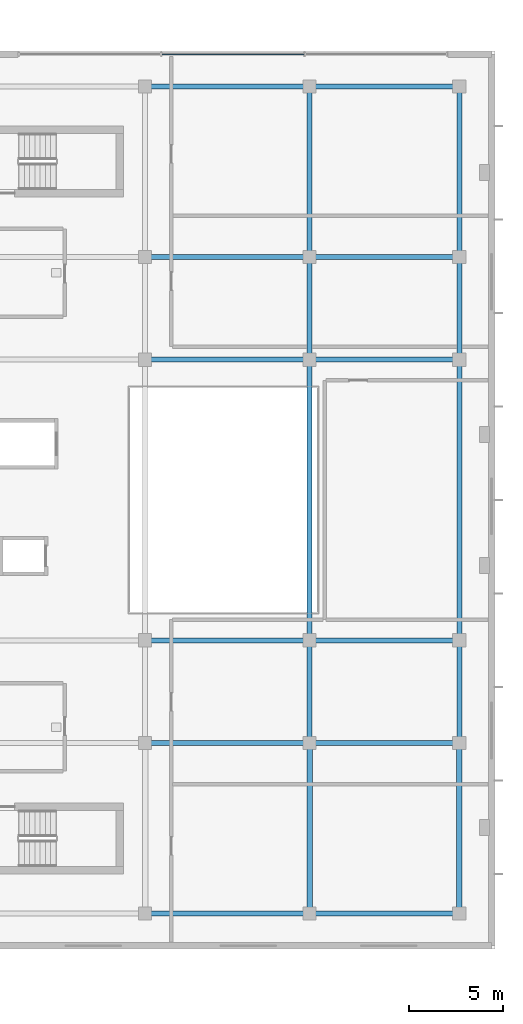
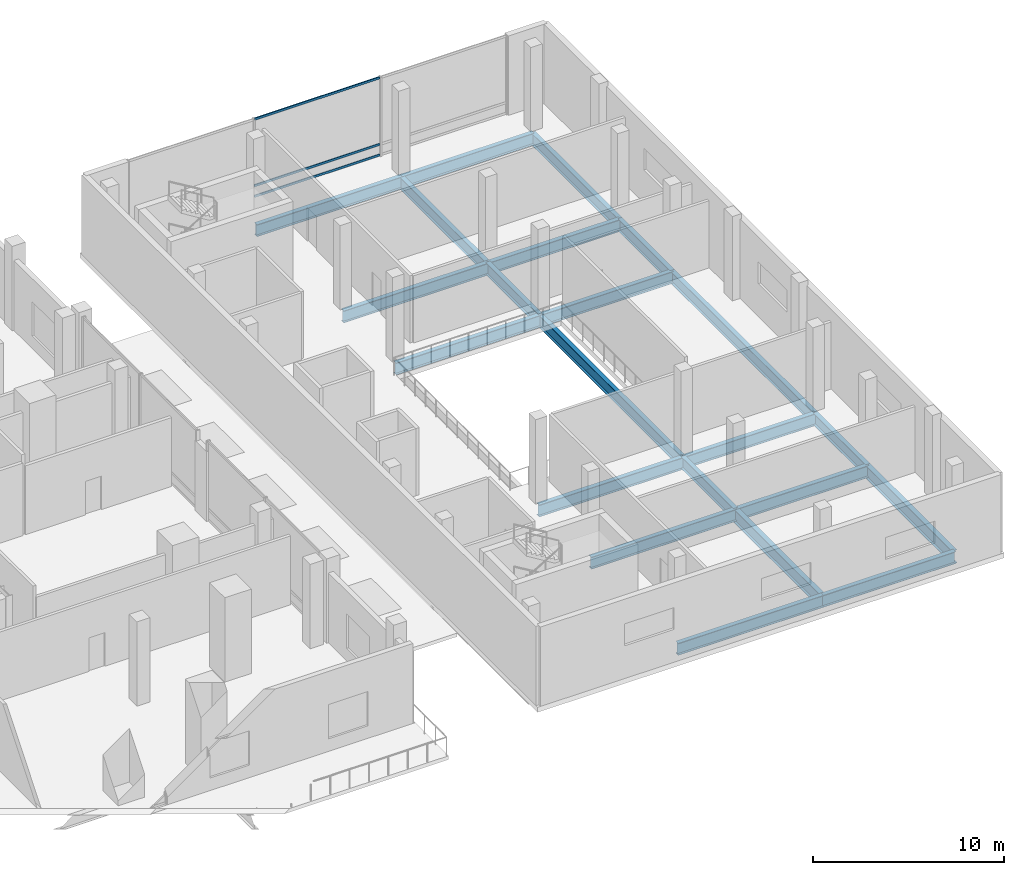
# One storey, part 22 of 36: 22 beams, 3 members, 1 element without a shape of its own.
"""IFC4 building model written with IfcOpenShell, lengths in metres."""

from ifc_helpers import new_model, si_unit, direction, frame, origin, origin_2d, place, context, subcontext, project, spatial, hollow_rectangle, i_section, extrude, material, layer, layer_set, material_profile, profile_set, type_object, element, aggregate, save


model = new_model("IFC4")

# Units and contexts
model_context = context("Model", 3, precision=1e-05, world=origin(), true_north=direction((0.0, 1.0)))
body_context = subcontext(model_context, "Body", "Model", "MODEL_VIEW")
ifc_project = project(units=[si_unit("LENGTHUNIT", "METRE"), si_unit("AREAUNIT", "SQUARE_METRE"), si_unit("VOLUMEUNIT", "CUBIC_METRE"), si_unit("PLANEANGLEUNIT", "RADIAN"), si_unit("MASSUNIT", "GRAM", prefix="KILO")], contexts=[model_context])

# Site, building, storey
site_placement = place(None, origin())
site = spatial("IfcSite", under=ifc_project, at=site_placement, CompositionType="ELEMENT")
building_placement = place(site_placement, origin())
building = spatial("IfcBuilding", under=site, at=building_placement, Name="Barlavira Tower and Art Museum", CompositionType="ELEMENT")
storey_placement = place(building_placement, frame((0.0, 0.0, 11.39990234375)))
storey = spatial("IfcBuildingStorey", under=building, at=storey_placement, Name="L02", CompositionType="ELEMENT", Elevation=11.39990234375)

# Curtain wall, members
ifc_material_1 = material(Name="Low-iron coastal laminated glass", Category="glass")
ifc_layer = layer(ifc_material_1, 0.199951171875, Name="Low-iron coastal laminated glass")
ifc_layer_set = layer_set([ifc_layer], Name="Low-iron coastal laminated glass")
curtain_wall_type = type_object("IfcCurtainWallType", Name="Coastal Art Museum North-Light Curtain Wall", PredefinedType="NOTDEFINED", material=ifc_layer_set)
curtain_wall_placement = place(storey_placement, origin())
curtain_wall = element("IfcCurtainWall", 1, at=curtain_wall_placement, inside=storey, type_object=curtain_wall_type, Name="L02 Curtain Wall CW6-MUS-L02-N", PredefinedType="NOTDEFINED")
ifc_material_2 = material(Name="Pale anodised aluminium", Category="aluminium")
ifc_material_profile_1 = material_profile(ifc_material_2, hollow_rectangle(XDim=0.06494140625, YDim=0.139892578125, WallThickness=0.00390625, at=origin_2d()), Name="ALU-TRAN 65x140x4")
ifc_profile_set_1 = profile_set([ifc_material_profile_1], Name="Pale anodised aluminium")
member_type = type_object("IfcMemberType", Name="Curtain Wall Pale-Metal Transom 65x140", PredefinedType="USERDEFINED", material=ifc_profile_set_1)
member_1_placement = place(storey_placement, frame((47.288330078125, 23.824951171875, 0.070068359375), z_axis=(-1.0, 0.0, 0.0), x_axis=(0.0, -1.0, 0.0)))
member_1 = element("IfcMember", 2, at=member_1_placement, type_object=member_type, Name="CW6-MUS-L02-N Transom 1.1", ObjectType="TRANSOM", PredefinedType="USERDEFINED", context=body_context, shape_type="SweptSolid", body=[
    extrude(hollow_rectangle(XDim=0.06494140625, YDim=0.139892578125, WallThickness=0.00390625, at=origin_2d()), origin(), (0.0, 0.0, 1.0), 7.57666015625),
])
member_2_placement = place(storey_placement, frame((47.288330078125, 23.824951171875, 0.75), z_axis=(-1.0, 0.0, 0.0), x_axis=(0.0, -1.0, 0.0)))
member_2 = element("IfcMember", 3, at=member_2_placement, type_object=member_type, Name="CW6-MUS-L02-N Transom 1.2", ObjectType="TRANSOM", PredefinedType="USERDEFINED", context=body_context, shape_type="SweptSolid", body=[
    extrude(hollow_rectangle(XDim=0.06494140625, YDim=0.139892578125, WallThickness=0.00390625, at=origin_2d()), origin(), (0.0, 0.0, 1.0), 7.57666015625),
])
member_3_placement = place(storey_placement, frame((47.288330078125, 23.824951171875, 5.010009765625), z_axis=(-1.0, 0.0, 0.0), x_axis=(0.0, -1.0, 0.0)))
member_3 = element("IfcMember", 4, at=member_3_placement, type_object=member_type, Name="CW6-MUS-L02-N Transom 1.3", ObjectType="TRANSOM", PredefinedType="USERDEFINED", context=body_context, shape_type="SweptSolid", body=[
    extrude(hollow_rectangle(XDim=0.06494140625, YDim=0.139892578125, WallThickness=0.00390625, at=origin_2d()), origin(), (0.0, 0.0, 1.0), 7.57666015625),
])
aggregate(curtain_wall, [member_1, member_2, member_3])

# Beams
ifc_material_3 = material(Name="Steel S355", Category="steel")
ifc_material_profile_2 = material_profile(ifc_material_3, i_section(OverallWidth=0.2939453125, OverallDepth=0.85107421875, WebThickness=0.017333984375, FlangeThickness=0.0283203125, at=origin_2d()), Name="W840x251.0")
ifc_profile_set_2 = profile_set([ifc_material_profile_2], Name="Steel S355")
beam_type_1 = type_object("IfcBeamType", Name="Museum Auditorium Heavy Girder W840x251 Steel S355", PredefinedType="BEAM", material=ifc_profile_set_2)
for number, where, z_axis, x_axis, name in (
    (5, (47.60009765625, -22.10009765625, -0.745361328125), (0.0, 1.0, 0.0), (-1.0, 0.0, 0.0), "L02 Museum Girder Y 3-1"),
    (6, (55.60009765625, -22.10009765625, -0.745361328125), (0.0, 1.0, 0.0), (-1.0, 0.0, 0.0), "L02 Museum Girder Y 4-1"),
):
    element("IfcBeam", number, at=place(storey_placement, frame(where, z_axis=z_axis, x_axis=x_axis)), inside=storey, type_object=beam_type_1, Name=name, PredefinedType="BEAM", context=body_context, shape_type="SweptSolid", body=[
        extrude(i_section(OverallWidth=0.2939453125, OverallDepth=0.85107421875, WebThickness=0.017333984375, FlangeThickness=0.0283203125, at=origin_2d()), origin(), (0.0, 0.0, 1.0), 9.10009765625),
    ])
ifc_material_profile_3 = material_profile(ifc_material_3, i_section(OverallWidth=0.26904296875, OverallDepth=0.76806640625, WebThickness=0.016845703125, FlangeThickness=0.026611328125, at=origin_2d()), Name="W760x220.0")
ifc_profile_set_3 = profile_set([ifc_material_profile_3], Name="Steel S355")
beam_type_2 = type_object("IfcBeamType", Name="Museum Long-Span Gallery Girder W760x220 Steel S355", PredefinedType="BEAM", material=ifc_profile_set_3)
beam_1_placement = place(storey_placement, frame((47.60009765625, -13.0, -0.703857421875), z_axis=(0.0, 1.0, 0.0), x_axis=(-1.0, 0.0, 0.0)))
element("IfcBeam", 7, at=beam_1_placement, inside=storey, type_object=beam_type_2, Name="L02 Museum Girder Y 3-2", PredefinedType="BEAM", context=body_context, shape_type="SweptSolid", body=[
    extrude(i_section(OverallWidth=0.26904296875, OverallDepth=0.76806640625, WebThickness=0.016845703125, FlangeThickness=0.026611328125, at=origin_2d()), origin(), (0.0, 0.0, 1.0), 5.5),
])
beam_2_placement = place(storey_placement, frame((47.60009765625, -7.5, -0.703857421875), z_axis=(0.0, 1.0, 0.0), x_axis=(-1.0, 0.0, 0.0)))
element("IfcBeam", 8, at=beam_2_placement, inside=storey, type_object=beam_type_2, Name="L02 Museum Girder Y 3-3", PredefinedType="BEAM", context=body_context, shape_type="SweptSolid", body=[
    extrude(i_section(OverallWidth=0.26904296875, OverallDepth=0.76806640625, WebThickness=0.016845703125, FlangeThickness=0.026611328125, at=origin_2d()), origin(), (0.0, 0.0, 1.0), 15.0),
])
beam_3_placement = place(storey_placement, frame((47.60009765625, 7.5, -0.703857421875), z_axis=(0.0, 1.0, 0.0), x_axis=(-1.0, 0.0, 0.0)))
element("IfcBeam", 9, at=beam_3_placement, inside=storey, type_object=beam_type_2, Name="L02 Museum Girder Y 3-4", PredefinedType="BEAM", context=body_context, shape_type="SweptSolid", body=[
    extrude(i_section(OverallWidth=0.26904296875, OverallDepth=0.76806640625, WebThickness=0.016845703125, FlangeThickness=0.026611328125, at=origin_2d()), origin(), (0.0, 0.0, 1.0), 5.5),
])
beam_4_placement = place(storey_placement, frame((47.60009765625, 13.0, -0.703857421875), z_axis=(0.0, 1.0, 0.0), x_axis=(-1.0, 0.0, 0.0)))
element("IfcBeam", 10, at=beam_4_placement, inside=storey, type_object=beam_type_2, Name="L02 Museum Girder Y 3-5", PredefinedType="BEAM", context=body_context, shape_type="SweptSolid", body=[
    extrude(i_section(OverallWidth=0.26904296875, OverallDepth=0.76806640625, WebThickness=0.016845703125, FlangeThickness=0.026611328125, at=origin_2d()), origin(), (0.0, 0.0, 1.0), 9.10009765625),
])
beam_5_placement = place(storey_placement, frame((55.60009765625, -13.0, -0.703857421875), z_axis=(0.0, 1.0, 0.0), x_axis=(-1.0, 0.0, 0.0)))
element("IfcBeam", 11, at=beam_5_placement, inside=storey, type_object=beam_type_2, Name="L02 Museum Girder Y 4-2", PredefinedType="BEAM", context=body_context, shape_type="SweptSolid", body=[
    extrude(i_section(OverallWidth=0.26904296875, OverallDepth=0.76806640625, WebThickness=0.016845703125, FlangeThickness=0.026611328125, at=origin_2d()), origin(), (0.0, 0.0, 1.0), 5.5),
])
beam_6_placement = place(storey_placement, frame((55.60009765625, -7.5, -0.703857421875), z_axis=(0.0, 1.0, 0.0), x_axis=(-1.0, 0.0, 0.0)))
element("IfcBeam", 12, at=beam_6_placement, inside=storey, type_object=beam_type_2, Name="L02 Museum Girder Y 4-3", PredefinedType="BEAM", context=body_context, shape_type="SweptSolid", body=[
    extrude(i_section(OverallWidth=0.26904296875, OverallDepth=0.76806640625, WebThickness=0.016845703125, FlangeThickness=0.026611328125, at=origin_2d()), origin(), (0.0, 0.0, 1.0), 15.0),
])
beam_7_placement = place(storey_placement, frame((55.60009765625, 7.5, -0.703857421875), z_axis=(0.0, 1.0, 0.0), x_axis=(-1.0, 0.0, 0.0)))
element("IfcBeam", 13, at=beam_7_placement, inside=storey, type_object=beam_type_2, Name="L02 Museum Girder Y 4-4", PredefinedType="BEAM", context=body_context, shape_type="SweptSolid", body=[
    extrude(i_section(OverallWidth=0.26904296875, OverallDepth=0.76806640625, WebThickness=0.016845703125, FlangeThickness=0.026611328125, at=origin_2d()), origin(), (0.0, 0.0, 1.0), 5.5),
])
beam_8_placement = place(storey_placement, frame((55.60009765625, 13.0, -0.703857421875), z_axis=(0.0, 1.0, 0.0), x_axis=(-1.0, 0.0, 0.0)))
element("IfcBeam", 14, at=beam_8_placement, inside=storey, type_object=beam_type_2, Name="L02 Museum Girder Y 4-5", PredefinedType="BEAM", context=body_context, shape_type="SweptSolid", body=[
    extrude(i_section(OverallWidth=0.26904296875, OverallDepth=0.76806640625, WebThickness=0.016845703125, FlangeThickness=0.026611328125, at=origin_2d()), origin(), (0.0, 0.0, 1.0), 9.10009765625),
])
beam_9_placement = place(storey_placement, frame((38.800048828125, -22.10009765625, -0.703857421875), z_axis=(1.0, 0.0, 0.0), x_axis=(0.0, 1.0, 0.0)))
element("IfcBeam", 15, at=beam_9_placement, inside=storey, type_object=beam_type_2, Name="L02 Museum Girder X 1-2", PredefinedType="BEAM", context=body_context, shape_type="SweptSolid", body=[
    extrude(i_section(OverallWidth=0.26904296875, OverallDepth=0.76806640625, WebThickness=0.016845703125, FlangeThickness=0.026611328125, at=origin_2d()), origin(), (0.0, 0.0, 1.0), 8.800048828125),
])
beam_10_placement = place(storey_placement, frame((47.60009765625, -22.10009765625, -0.703857421875), z_axis=(1.0, 0.0, 0.0), x_axis=(0.0, 1.0, 0.0)))
element("IfcBeam", 16, at=beam_10_placement, inside=storey, type_object=beam_type_2, Name="L02 Museum Girder X 1-3", PredefinedType="BEAM", context=body_context, shape_type="SweptSolid", body=[
    extrude(i_section(OverallWidth=0.26904296875, OverallDepth=0.76806640625, WebThickness=0.016845703125, FlangeThickness=0.026611328125, at=origin_2d()), origin(), (0.0, 0.0, 1.0), 8.0),
])
beam_11_placement = place(storey_placement, frame((38.800048828125, -13.0, -0.703857421875), z_axis=(1.0, 0.0, 0.0), x_axis=(0.0, 1.0, 0.0)))
element("IfcBeam", 17, at=beam_11_placement, inside=storey, type_object=beam_type_2, Name="L02 Museum Girder X 2-2", PredefinedType="BEAM", context=body_context, shape_type="SweptSolid", body=[
    extrude(i_section(OverallWidth=0.26904296875, OverallDepth=0.76806640625, WebThickness=0.016845703125, FlangeThickness=0.026611328125, at=origin_2d()), origin(), (0.0, 0.0, 1.0), 8.800048828125),
])
beam_12_placement = place(storey_placement, frame((47.60009765625, -13.0, -0.703857421875), z_axis=(1.0, 0.0, 0.0), x_axis=(0.0, 1.0, 0.0)))
element("IfcBeam", 18, at=beam_12_placement, inside=storey, type_object=beam_type_2, Name="L02 Museum Girder X 2-3", PredefinedType="BEAM", context=body_context, shape_type="SweptSolid", body=[
    extrude(i_section(OverallWidth=0.26904296875, OverallDepth=0.76806640625, WebThickness=0.016845703125, FlangeThickness=0.026611328125, at=origin_2d()), origin(), (0.0, 0.0, 1.0), 8.0),
])
beam_13_placement = place(storey_placement, frame((38.800048828125, -7.5, -0.703857421875), z_axis=(1.0, 0.0, 0.0), x_axis=(0.0, 1.0, 0.0)))
element("IfcBeam", 19, at=beam_13_placement, inside=storey, type_object=beam_type_2, Name="L02 Museum Girder X 3-2", PredefinedType="BEAM", context=body_context, shape_type="SweptSolid", body=[
    extrude(i_section(OverallWidth=0.26904296875, OverallDepth=0.76806640625, WebThickness=0.016845703125, FlangeThickness=0.026611328125, at=origin_2d()), origin(), (0.0, 0.0, 1.0), 8.800048828125),
])
beam_14_placement = place(storey_placement, frame((47.60009765625, -7.5, -0.703857421875), z_axis=(1.0, 0.0, 0.0), x_axis=(0.0, 1.0, 0.0)))
element("IfcBeam", 20, at=beam_14_placement, inside=storey, type_object=beam_type_2, Name="L02 Museum Girder X 3-3", PredefinedType="BEAM", context=body_context, shape_type="SweptSolid", body=[
    extrude(i_section(OverallWidth=0.26904296875, OverallDepth=0.76806640625, WebThickness=0.016845703125, FlangeThickness=0.026611328125, at=origin_2d()), origin(), (0.0, 0.0, 1.0), 8.0),
])
beam_15_placement = place(storey_placement, frame((38.800048828125, 7.5, -0.703857421875), z_axis=(1.0, 0.0, 0.0), x_axis=(0.0, 1.0, 0.0)))
element("IfcBeam", 21, at=beam_15_placement, inside=storey, type_object=beam_type_2, Name="L02 Museum Girder X 4-2", PredefinedType="BEAM", context=body_context, shape_type="SweptSolid", body=[
    extrude(i_section(OverallWidth=0.26904296875, OverallDepth=0.76806640625, WebThickness=0.016845703125, FlangeThickness=0.026611328125, at=origin_2d()), origin(), (0.0, 0.0, 1.0), 8.800048828125),
])
beam_16_placement = place(storey_placement, frame((47.60009765625, 7.5, -0.703857421875), z_axis=(1.0, 0.0, 0.0), x_axis=(0.0, 1.0, 0.0)))
element("IfcBeam", 22, at=beam_16_placement, inside=storey, type_object=beam_type_2, Name="L02 Museum Girder X 4-3", PredefinedType="BEAM", context=body_context, shape_type="SweptSolid", body=[
    extrude(i_section(OverallWidth=0.26904296875, OverallDepth=0.76806640625, WebThickness=0.016845703125, FlangeThickness=0.026611328125, at=origin_2d()), origin(), (0.0, 0.0, 1.0), 8.0),
])
beam_17_placement = place(storey_placement, frame((38.800048828125, 13.0, -0.703857421875), z_axis=(1.0, 0.0, 0.0), x_axis=(0.0, 1.0, 0.0)))
element("IfcBeam", 23, at=beam_17_placement, inside=storey, type_object=beam_type_2, Name="L02 Museum Girder X 5-2", PredefinedType="BEAM", context=body_context, shape_type="SweptSolid", body=[
    extrude(i_section(OverallWidth=0.26904296875, OverallDepth=0.76806640625, WebThickness=0.016845703125, FlangeThickness=0.026611328125, at=origin_2d()), origin(), (0.0, 0.0, 1.0), 8.800048828125),
])
beam_18_placement = place(storey_placement, frame((47.60009765625, 13.0, -0.703857421875), z_axis=(1.0, 0.0, 0.0), x_axis=(0.0, 1.0, 0.0)))
element("IfcBeam", 24, at=beam_18_placement, inside=storey, type_object=beam_type_2, Name="L02 Museum Girder X 5-3", PredefinedType="BEAM", context=body_context, shape_type="SweptSolid", body=[
    extrude(i_section(OverallWidth=0.26904296875, OverallDepth=0.76806640625, WebThickness=0.016845703125, FlangeThickness=0.026611328125, at=origin_2d()), origin(), (0.0, 0.0, 1.0), 8.0),
])
beam_19_placement = place(storey_placement, frame((38.800048828125, 22.10009765625, -0.703857421875), z_axis=(1.0, 0.0, 0.0), x_axis=(0.0, 1.0, 0.0)))
element("IfcBeam", 25, at=beam_19_placement, inside=storey, type_object=beam_type_2, Name="L02 Museum Girder X 6-2", PredefinedType="BEAM", context=body_context, shape_type="SweptSolid", body=[
    extrude(i_section(OverallWidth=0.26904296875, OverallDepth=0.76806640625, WebThickness=0.016845703125, FlangeThickness=0.026611328125, at=origin_2d()), origin(), (0.0, 0.0, 1.0), 8.800048828125),
])
beam_20_placement = place(storey_placement, frame((47.60009765625, 22.10009765625, -0.703857421875), z_axis=(1.0, 0.0, 0.0), x_axis=(0.0, 1.0, 0.0)))
element("IfcBeam", 26, at=beam_20_placement, inside=storey, type_object=beam_type_2, Name="L02 Museum Girder X 6-3", PredefinedType="BEAM", context=body_context, shape_type="SweptSolid", body=[
    extrude(i_section(OverallWidth=0.26904296875, OverallDepth=0.76806640625, WebThickness=0.016845703125, FlangeThickness=0.026611328125, at=origin_2d()), origin(), (0.0, 0.0, 1.0), 8.0),
])

save(model, "model.ifc")
